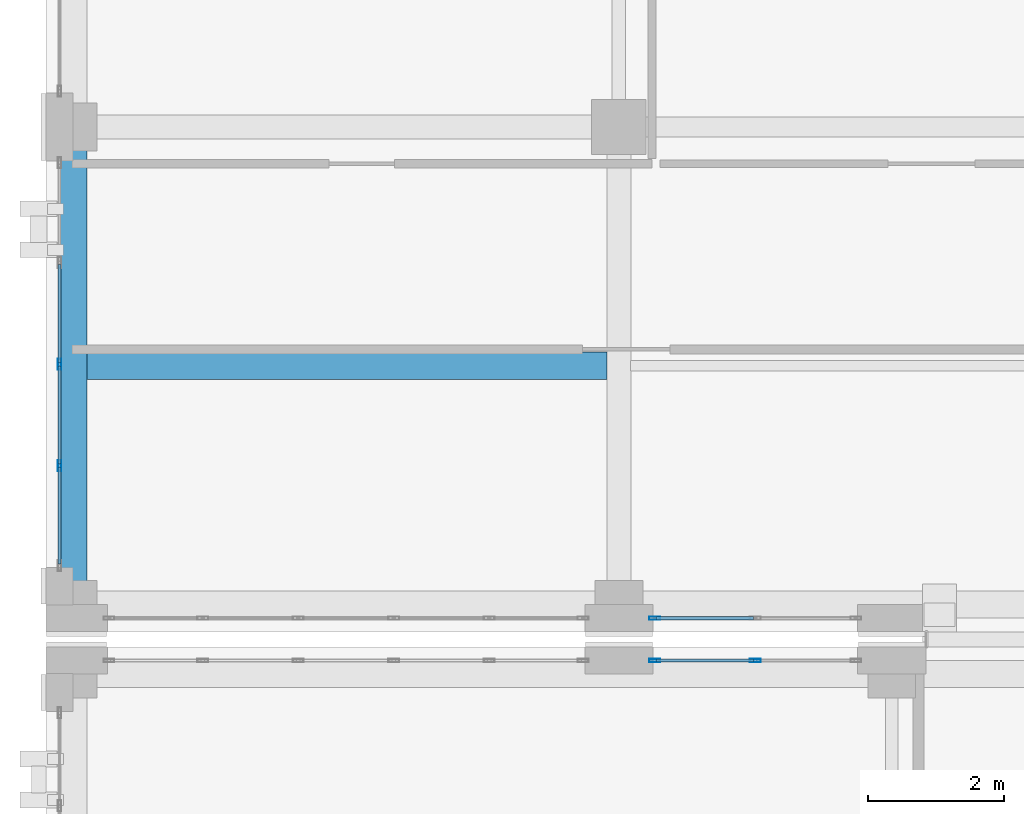
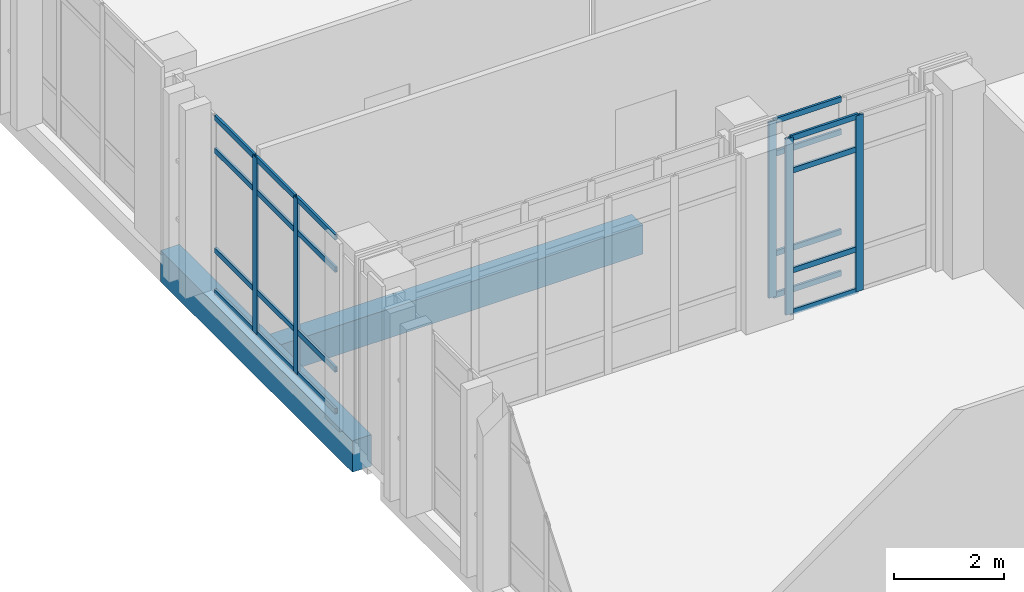
# One storey, part 76 of 158: 25 members, 2 beams, 3 elements without a shape of their own.
"""IFC4 building model written with IfcOpenShell, lengths in metres."""

from ifc_helpers import new_model, si_unit, direction, frame, origin, origin_2d, place, context, subcontext, project, spatial, rectangle, hollow_rectangle, extrude, material, layer, layer_set, material_profile, profile_set, type_object, element, aggregate, save


model = new_model("IFC4")

# Units and contexts
model_context = context("Model", 3, precision=1e-05, world=origin(), true_north=direction((0.0, 1.0)))
body_context = subcontext(model_context, "Body", "Model", "MODEL_VIEW")
ifc_project = project(units=[si_unit("LENGTHUNIT", "METRE"), si_unit("AREAUNIT", "SQUARE_METRE"), si_unit("VOLUMEUNIT", "CUBIC_METRE"), si_unit("PLANEANGLEUNIT", "RADIAN"), si_unit("MASSUNIT", "GRAM", prefix="KILO")], contexts=[model_context])

# Site, building, storey
site_placement = place(None, origin())
site = spatial("IfcSite", under=ifc_project, at=site_placement, CompositionType="ELEMENT")
building_placement = place(site_placement, origin())
building = spatial("IfcBuilding", under=site, at=building_placement, Name="Qalavern Law Courts", CompositionType="ELEMENT")
storey_placement = place(building_placement, frame((0.0, 0.0, 18.60009765625)))
storey = spatial("IfcBuildingStorey", under=building, at=storey_placement, Name="L04", CompositionType="ELEMENT", Elevation=18.60009765625)

# Curtain wall, members
ifc_material_1 = material(Name="Anodised aluminium and insulated glazing", Category="aluminium")
ifc_layer_1 = layer(ifc_material_1, 0.159912109375)
ifc_layer_set_1 = layer_set([ifc_layer_1], Name="Anodised aluminium and insulated glazing")
curtain_wall_type_1 = type_object("IfcCurtainWallType", Name="ENV-CW-CHAMB", PredefinedType="USERDEFINED", material=ifc_layer_set_1)
curtain_wall_1_placement = place(storey_placement, origin())
curtain_wall_1 = element("IfcCurtainWall", 1, at=curtain_wall_1_placement, inside=storey, type_object=curtain_wall_type_1, Name="V3 unitised curtain wall L04 north 1", ObjectType="UNITISED CURTAIN WALL", PredefinedType="USERDEFINED")
ifc_material_2 = material(Name="Anodised aluminium", Category="aluminium")
ifc_material_profile_1 = material_profile(ifc_material_2, hollow_rectangle(XDim=0.048095703125, YDim=0.159912109375, WallThickness=0.00390625, at=origin_2d()), Name="ALU MULLION 48x160")
ifc_profile_set_1 = profile_set([ifc_material_profile_1], Name="Anodised aluminium")
member_type_1 = type_object("IfcMemberType", Name="ENV-CWM-48x160", PredefinedType="MULLION", material=ifc_profile_set_1)
member_1_placement = place(storey_placement, frame((12.39990234375, 95.780029296875, 0.0), z_axis=(0.0, 0.0, 1.0), x_axis=(0.0, -1.0, 0.0)))
member_1 = element("IfcMember", 2, at=member_1_placement, type_object=member_type_1, Name="CW-04 mullion 2", PredefinedType="MULLION", context=body_context, shape_type="SweptSolid", body=[
    extrude(hollow_rectangle(XDim=0.048095703125, YDim=0.159912109375, WallThickness=0.00390625, at=origin_2d()), origin(), (0.0, 0.0, 1.0), 3.9248046875),
])
member_2_placement = place(storey_placement, frame((10.924072265625, 95.780029296875, 0.0), z_axis=(0.0, 0.0, 1.0), x_axis=(0.0, -1.0, 0.0)))
member_2 = element("IfcMember", 3, at=member_2_placement, type_object=member_type_1, Name="CW-04 mullion 3", PredefinedType="MULLION", context=body_context, shape_type="SweptSolid", body=[
    extrude(hollow_rectangle(XDim=0.048095703125, YDim=0.159912109375, WallThickness=0.00390625, at=origin_2d()), origin(), (0.0, 0.0, 1.0), 3.9248046875),
])

# Curtain wall, member
ifc_layer_2 = layer(ifc_material_1, 0.166015625)
ifc_layer_set_2 = layer_set([ifc_layer_2], Name="Anodised aluminium and insulated glazing")
curtain_wall_type_2 = type_object("IfcCurtainWallType", Name="ENV-CW-LIB", PredefinedType="USERDEFINED", material=ifc_layer_set_2)
curtain_wall_2_placement = place(storey_placement, origin())
curtain_wall_2 = element("IfcCurtainWall", 4, at=curtain_wall_2_placement, inside=storey, type_object=curtain_wall_type_2, Name="V5 unitised curtain wall L04 south 2", ObjectType="UNITISED CURTAIN WALL", PredefinedType="USERDEFINED")
member_3_placement = place(storey_placement, frame((10.924072265625, 96.39990234375, 0.0), z_axis=(0.0, 0.0, 1.0), x_axis=(0.0, 1.0, 0.0)))
member_3 = element("IfcMember", 5, at=member_3_placement, type_object=member_type_1, Name="CW-05 mullion 1", PredefinedType="MULLION", context=body_context, shape_type="SweptSolid", body=[
    extrude(hollow_rectangle(XDim=0.048095703125, YDim=0.159912109375, WallThickness=0.00390625, at=origin_2d()), origin(), (0.0, 0.0, 1.0), 3.9248046875),
])

# Curtain wall, members
curtain_wall_3_placement = place(storey_placement, origin())
curtain_wall_3 = element("IfcCurtainWall", 6, at=curtain_wall_3_placement, inside=storey, type_object=curtain_wall_type_2, Name="V5 unitised curtain wall L04 west 2", ObjectType="UNITISED CURTAIN WALL", PredefinedType="USERDEFINED")
member_4_placement = place(storey_placement, frame((2.199951171875, 100.12255859375, 0.0), z_axis=(0.0, 0.0, 1.0), x_axis=(1.0, 0.0, 0.0)))
member_4 = element("IfcMember", 7, at=member_4_placement, type_object=member_type_1, Name="CW-05 mullion 3", PredefinedType="MULLION", context=body_context, shape_type="SweptSolid", body=[
    extrude(hollow_rectangle(XDim=0.048095703125, YDim=0.159912109375, WallThickness=0.00390625, at=origin_2d()), origin(), (0.0, 0.0, 1.0), 3.9248046875),
])
member_5_placement = place(storey_placement, frame((2.199951171875, 98.6337890625, 0.0), z_axis=(0.0, 0.0, 1.0), x_axis=(1.0, 0.0, 0.0)))
member_5 = element("IfcMember", 8, at=member_5_placement, type_object=member_type_1, Name="CW-05 mullion 4", PredefinedType="MULLION", context=body_context, shape_type="SweptSolid", body=[
    extrude(hollow_rectangle(XDim=0.048095703125, YDim=0.159912109375, WallThickness=0.00390625, at=origin_2d()), origin(), (0.0, 0.0, 1.0), 3.9248046875),
])

# Member
ifc_material_profile_2 = material_profile(ifc_material_2, hollow_rectangle(XDim=0.048095703125, YDim=0.1201171875, WallThickness=0.00390625, at=origin_2d()), Name="ALU TRANSOM 48x120")
ifc_profile_set_2 = profile_set([ifc_material_profile_2], Name="Anodised aluminium")
member_type_2 = type_object("IfcMemberType", Name="ENV-CWT-48x120", PredefinedType="USERDEFINED", material=ifc_profile_set_2)
member_6_placement = place(storey_placement, frame((12.3759765625, 95.780029296875, 0.02392578125), z_axis=(-1.0, 0.0, 0.0), x_axis=(0.0, -1.0, 0.0)))
member_6 = element("IfcMember", 9, at=member_6_placement, type_object=member_type_2, Name="CW-04 transom 2.1", ObjectType="TRANSOM", PredefinedType="USERDEFINED", context=body_context, shape_type="SweptSolid", body=[
    extrude(hollow_rectangle(XDim=0.048095703125, YDim=0.1201171875, WallThickness=0.00390625, at=origin_2d()), origin(), (0.0, 0.0, 1.0), 1.427978515625),
])

member_7_placement = place(storey_placement, frame((12.3759765625, 95.780029296875, 0.949951171875), z_axis=(-1.0, 0.0, 0.0), x_axis=(0.0, -1.0, 0.0)))
member_7 = element("IfcMember", 10, at=member_7_placement, type_object=member_type_2, Name="CW-04 transom 2.2", ObjectType="TRANSOM", PredefinedType="USERDEFINED", context=body_context, shape_type="SweptSolid", body=[
    extrude(hollow_rectangle(XDim=0.048095703125, YDim=0.1201171875, WallThickness=0.00390625, at=origin_2d()), origin(), (0.0, 0.0, 1.0), 1.427978515625),
])

member_8_placement = place(storey_placement, frame((12.3759765625, 95.780029296875, 3.1748046875), z_axis=(-1.0, 0.0, 0.0), x_axis=(0.0, -1.0, 0.0)))
member_8 = element("IfcMember", 11, at=member_8_placement, type_object=member_type_2, Name="CW-04 transom 2.3", ObjectType="TRANSOM", PredefinedType="USERDEFINED", context=body_context, shape_type="SweptSolid", body=[
    extrude(hollow_rectangle(XDim=0.048095703125, YDim=0.1201171875, WallThickness=0.00390625, at=origin_2d()), origin(), (0.0, 0.0, 1.0), 1.427978515625),
])

member_9_placement = place(storey_placement, frame((12.3759765625, 95.780029296875, 3.90087890625), z_axis=(-1.0, 0.0, 0.0), x_axis=(0.0, -1.0, 0.0)))
member_9 = element("IfcMember", 12, at=member_9_placement, type_object=member_type_2, Name="CW-04 transom 2.4", ObjectType="TRANSOM", PredefinedType="USERDEFINED", context=body_context, shape_type="SweptSolid", body=[
    extrude(hollow_rectangle(XDim=0.048095703125, YDim=0.1201171875, WallThickness=0.00390625, at=origin_2d()), origin(), (0.0, 0.0, 1.0), 1.427978515625),
])

aggregate(curtain_wall_1, [member_1, member_2, member_6, member_7, member_8, member_9])

member_10_placement = place(storey_placement, frame((10.947998046875, 96.39990234375, 0.02392578125), z_axis=(1.0, 0.0, 0.0), x_axis=(0.0, 1.0, 0.0)))
member_10 = element("IfcMember", 13, at=member_10_placement, type_object=member_type_2, Name="CW-05 transom 1.1", ObjectType="TRANSOM", PredefinedType="USERDEFINED", context=body_context, shape_type="SweptSolid", body=[
    extrude(hollow_rectangle(XDim=0.048095703125, YDim=0.1201171875, WallThickness=0.00390625, at=origin_2d()), origin(), (0.0, 0.0, 1.0), 1.427978515625),
])

member_11_placement = place(storey_placement, frame((10.947998046875, 96.39990234375, 0.949951171875), z_axis=(1.0, 0.0, 0.0), x_axis=(0.0, 1.0, 0.0)))
member_11 = element("IfcMember", 14, at=member_11_placement, type_object=member_type_2, Name="CW-05 transom 1.2", ObjectType="TRANSOM", PredefinedType="USERDEFINED", context=body_context, shape_type="SweptSolid", body=[
    extrude(hollow_rectangle(XDim=0.048095703125, YDim=0.1201171875, WallThickness=0.00390625, at=origin_2d()), origin(), (0.0, 0.0, 1.0), 1.427978515625),
])

member_12_placement = place(storey_placement, frame((10.947998046875, 96.39990234375, 3.1748046875), z_axis=(1.0, 0.0, 0.0), x_axis=(0.0, 1.0, 0.0)))
member_12 = element("IfcMember", 15, at=member_12_placement, type_object=member_type_2, Name="CW-05 transom 1.3", ObjectType="TRANSOM", PredefinedType="USERDEFINED", context=body_context, shape_type="SweptSolid", body=[
    extrude(hollow_rectangle(XDim=0.048095703125, YDim=0.1201171875, WallThickness=0.00390625, at=origin_2d()), origin(), (0.0, 0.0, 1.0), 1.427978515625),
])

member_13_placement = place(storey_placement, frame((10.947998046875, 96.39990234375, 3.90087890625), z_axis=(1.0, 0.0, 0.0), x_axis=(0.0, 1.0, 0.0)))
member_13 = element("IfcMember", 16, at=member_13_placement, type_object=member_type_2, Name="CW-05 transom 1.4", ObjectType="TRANSOM", PredefinedType="USERDEFINED", context=body_context, shape_type="SweptSolid", body=[
    extrude(hollow_rectangle(XDim=0.048095703125, YDim=0.1201171875, WallThickness=0.00390625, at=origin_2d()), origin(), (0.0, 0.0, 1.0), 1.427978515625),
])

aggregate(curtain_wall_2, [member_3, member_10, member_11, member_12, member_13])

member_14_placement = place(storey_placement, frame((2.199951171875, 101.587158203125, 0.02392578125), z_axis=(0.0, -1.0, 0.0), x_axis=(1.0, 0.0, 0.0)))
member_14 = element("IfcMember", 17, at=member_14_placement, type_object=member_type_2, Name="CW-05 transom 2.1", ObjectType="TRANSOM", PredefinedType="USERDEFINED", context=body_context, shape_type="SweptSolid", body=[
    extrude(hollow_rectangle(XDim=0.048095703125, YDim=0.1201171875, WallThickness=0.00390625, at=origin_2d()), origin(), (0.0, 0.0, 1.0), 1.440673828125),
])

member_15_placement = place(storey_placement, frame((2.199951171875, 101.587158203125, 0.949951171875), z_axis=(0.0, -1.0, 0.0), x_axis=(1.0, 0.0, 0.0)))
member_15 = element("IfcMember", 18, at=member_15_placement, type_object=member_type_2, Name="CW-05 transom 2.2", ObjectType="TRANSOM", PredefinedType="USERDEFINED", context=body_context, shape_type="SweptSolid", body=[
    extrude(hollow_rectangle(XDim=0.048095703125, YDim=0.1201171875, WallThickness=0.00390625, at=origin_2d()), origin(), (0.0, 0.0, 1.0), 1.440673828125),
])

member_16_placement = place(storey_placement, frame((2.199951171875, 101.587158203125, 3.1748046875), z_axis=(0.0, -1.0, 0.0), x_axis=(1.0, 0.0, 0.0)))
member_16 = element("IfcMember", 19, at=member_16_placement, type_object=member_type_2, Name="CW-05 transom 2.3", ObjectType="TRANSOM", PredefinedType="USERDEFINED", context=body_context, shape_type="SweptSolid", body=[
    extrude(hollow_rectangle(XDim=0.048095703125, YDim=0.1201171875, WallThickness=0.00390625, at=origin_2d()), origin(), (0.0, 0.0, 1.0), 1.440673828125),
])

member_17_placement = place(storey_placement, frame((2.199951171875, 101.587158203125, 3.90087890625), z_axis=(0.0, -1.0, 0.0), x_axis=(1.0, 0.0, 0.0)))
member_17 = element("IfcMember", 20, at=member_17_placement, type_object=member_type_2, Name="CW-05 transom 2.4", ObjectType="TRANSOM", PredefinedType="USERDEFINED", context=body_context, shape_type="SweptSolid", body=[
    extrude(hollow_rectangle(XDim=0.048095703125, YDim=0.1201171875, WallThickness=0.00390625, at=origin_2d()), origin(), (0.0, 0.0, 1.0), 1.440673828125),
])

member_18_placement = place(storey_placement, frame((2.199951171875, 100.098388671875, 0.02392578125), z_axis=(0.0, -1.0, 0.0), x_axis=(1.0, 0.0, 0.0)))
member_18 = element("IfcMember", 21, at=member_18_placement, type_object=member_type_2, Name="CW-05 transom 3.1", ObjectType="TRANSOM", PredefinedType="USERDEFINED", context=body_context, shape_type="SweptSolid", body=[
    extrude(hollow_rectangle(XDim=0.048095703125, YDim=0.1201171875, WallThickness=0.00390625, at=origin_2d()), origin(), (0.0, 0.0, 1.0), 1.440673828125),
])

member_19_placement = place(storey_placement, frame((2.199951171875, 100.098388671875, 0.949951171875), z_axis=(0.0, -1.0, 0.0), x_axis=(1.0, 0.0, 0.0)))
member_19 = element("IfcMember", 22, at=member_19_placement, type_object=member_type_2, Name="CW-05 transom 3.2", ObjectType="TRANSOM", PredefinedType="USERDEFINED", context=body_context, shape_type="SweptSolid", body=[
    extrude(hollow_rectangle(XDim=0.048095703125, YDim=0.1201171875, WallThickness=0.00390625, at=origin_2d()), origin(), (0.0, 0.0, 1.0), 1.440673828125),
])

member_20_placement = place(storey_placement, frame((2.199951171875, 100.098388671875, 3.1748046875), z_axis=(0.0, -1.0, 0.0), x_axis=(1.0, 0.0, 0.0)))
member_20 = element("IfcMember", 23, at=member_20_placement, type_object=member_type_2, Name="CW-05 transom 3.3", ObjectType="TRANSOM", PredefinedType="USERDEFINED", context=body_context, shape_type="SweptSolid", body=[
    extrude(hollow_rectangle(XDim=0.048095703125, YDim=0.1201171875, WallThickness=0.00390625, at=origin_2d()), origin(), (0.0, 0.0, 1.0), 1.440673828125),
])

member_21_placement = place(storey_placement, frame((2.199951171875, 100.098388671875, 3.90087890625), z_axis=(0.0, -1.0, 0.0), x_axis=(1.0, 0.0, 0.0)))
member_21 = element("IfcMember", 24, at=member_21_placement, type_object=member_type_2, Name="CW-05 transom 3.4", ObjectType="TRANSOM", PredefinedType="USERDEFINED", context=body_context, shape_type="SweptSolid", body=[
    extrude(hollow_rectangle(XDim=0.048095703125, YDim=0.1201171875, WallThickness=0.00390625, at=origin_2d()), origin(), (0.0, 0.0, 1.0), 1.440673828125),
])

member_22_placement = place(storey_placement, frame((2.199951171875, 98.60986328125, 0.02392578125), z_axis=(0.0, -1.0, 0.0), x_axis=(1.0, 0.0, 0.0)))
member_22 = element("IfcMember", 25, at=member_22_placement, type_object=member_type_2, Name="CW-05 transom 4.1", ObjectType="TRANSOM", PredefinedType="USERDEFINED", context=body_context, shape_type="SweptSolid", body=[
    extrude(hollow_rectangle(XDim=0.048095703125, YDim=0.1201171875, WallThickness=0.00390625, at=origin_2d()), origin(), (0.0, 0.0, 1.0), 1.416748046875),
])

member_23_placement = place(storey_placement, frame((2.199951171875, 98.60986328125, 0.949951171875), z_axis=(0.0, -1.0, 0.0), x_axis=(1.0, 0.0, 0.0)))
member_23 = element("IfcMember", 26, at=member_23_placement, type_object=member_type_2, Name="CW-05 transom 4.2", ObjectType="TRANSOM", PredefinedType="USERDEFINED", context=body_context, shape_type="SweptSolid", body=[
    extrude(hollow_rectangle(XDim=0.048095703125, YDim=0.1201171875, WallThickness=0.00390625, at=origin_2d()), origin(), (0.0, 0.0, 1.0), 1.416748046875),
])

member_24_placement = place(storey_placement, frame((2.199951171875, 98.60986328125, 3.1748046875), z_axis=(0.0, -1.0, 0.0), x_axis=(1.0, 0.0, 0.0)))
member_24 = element("IfcMember", 27, at=member_24_placement, type_object=member_type_2, Name="CW-05 transom 4.3", ObjectType="TRANSOM", PredefinedType="USERDEFINED", context=body_context, shape_type="SweptSolid", body=[
    extrude(hollow_rectangle(XDim=0.048095703125, YDim=0.1201171875, WallThickness=0.00390625, at=origin_2d()), origin(), (0.0, 0.0, 1.0), 1.416748046875),
])

member_25_placement = place(storey_placement, frame((2.199951171875, 98.60986328125, 3.90087890625), z_axis=(0.0, -1.0, 0.0), x_axis=(1.0, 0.0, 0.0)))
member_25 = element("IfcMember", 28, at=member_25_placement, type_object=member_type_2, Name="CW-05 transom 4.4", ObjectType="TRANSOM", PredefinedType="USERDEFINED", context=body_context, shape_type="SweptSolid", body=[
    extrude(hollow_rectangle(XDim=0.048095703125, YDim=0.1201171875, WallThickness=0.00390625, at=origin_2d()), origin(), (0.0, 0.0, 1.0), 1.416748046875),
])

aggregate(curtain_wall_3, [member_4, member_5, member_14, member_15, member_16, member_17, member_18, member_19, member_20, member_21, member_22, member_23, member_24, member_25])

# Beams
ifc_material_3 = material(Name="Concrete C35/45", Category="concrete")
ifc_material_profile_3 = material_profile(ifc_material_3, rectangle(XDim=0.39990234375, YDim=0.64990234375, at=origin_2d()), Name="RC 400x650")
ifc_profile_set_3 = profile_set([ifc_material_profile_3], Name="Concrete C35/45")
beam_type_1 = type_object("IfcBeamType", Name="STR-JST-RC400x650", PredefinedType="JOIST", material=ifc_profile_set_3)
beam_1_placement = place(storey_placement, frame((2.597900390625, 100.10009765625, -0.60498046875), z_axis=(1.0, 0.0, 0.0), x_axis=(0.0, 1.0, 0.0)))
element("IfcBeam", 29, at=beam_1_placement, inside=storey, type_object=beam_type_1, Name="V5 secondary joist 1.1.1 L04", PredefinedType="JOIST", context=body_context, shape_type="SweptSolid", body=[
    extrude(rectangle(XDim=0.39990234375, YDim=0.64990234375, at=origin_2d()), origin(), (0.0, 0.0, 1.0), 7.629150390625),
])
ifc_material_4 = material(Name="Concrete C40/50", Category="concrete")
ifc_material_profile_4 = material_profile(ifc_material_4, rectangle(XDim=0.39990234375, YDim=0.699951171875, at=origin_2d()), Name="RC 400x700")
ifc_profile_set_4 = profile_set([ifc_material_profile_4], Name="Concrete C40/50")
beam_type_2 = type_object("IfcBeamType", Name="STR-SP-RC400x700", PredefinedType="SPANDREL", material=ifc_profile_set_4)
beam_2_placement = place(storey_placement, frame((2.39990234375, 96.60009765625, -0.630126953125), z_axis=(0.0, 1.0, 0.0), x_axis=(-1.0, 0.0, 0.0)))
element("IfcBeam", 30, at=beam_2_placement, inside=storey, type_object=beam_type_2, Name="V5 Y-beam 1-1 L04", PredefinedType="SPANDREL", context=body_context, shape_type="SweptSolid", body=[
    extrude(rectangle(XDim=0.39990234375, YDim=0.699951171875, at=origin_2d()), origin(), (0.0, 0.0, 1.0), 7.0),
])

save(model, "model.ifc")
